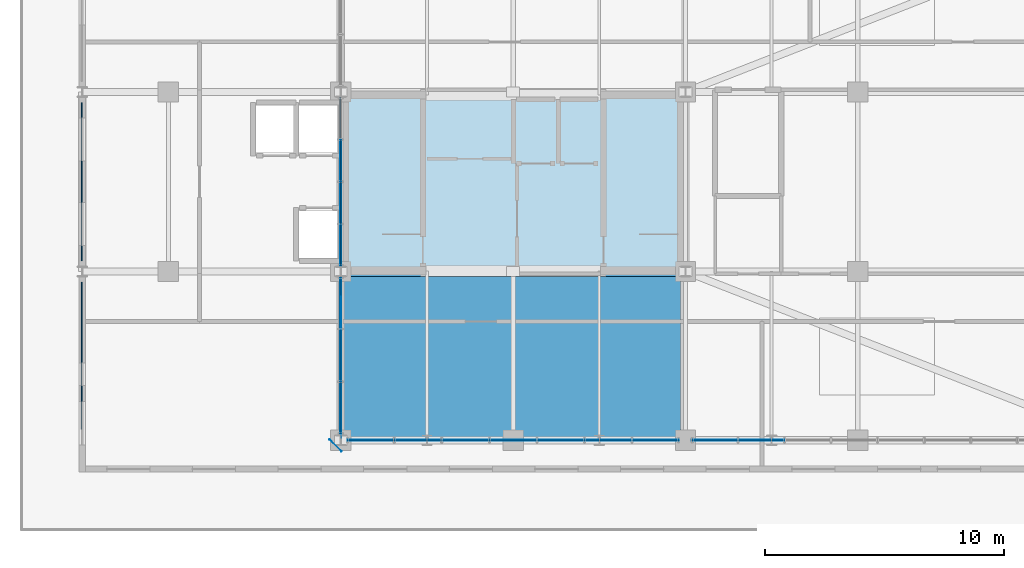
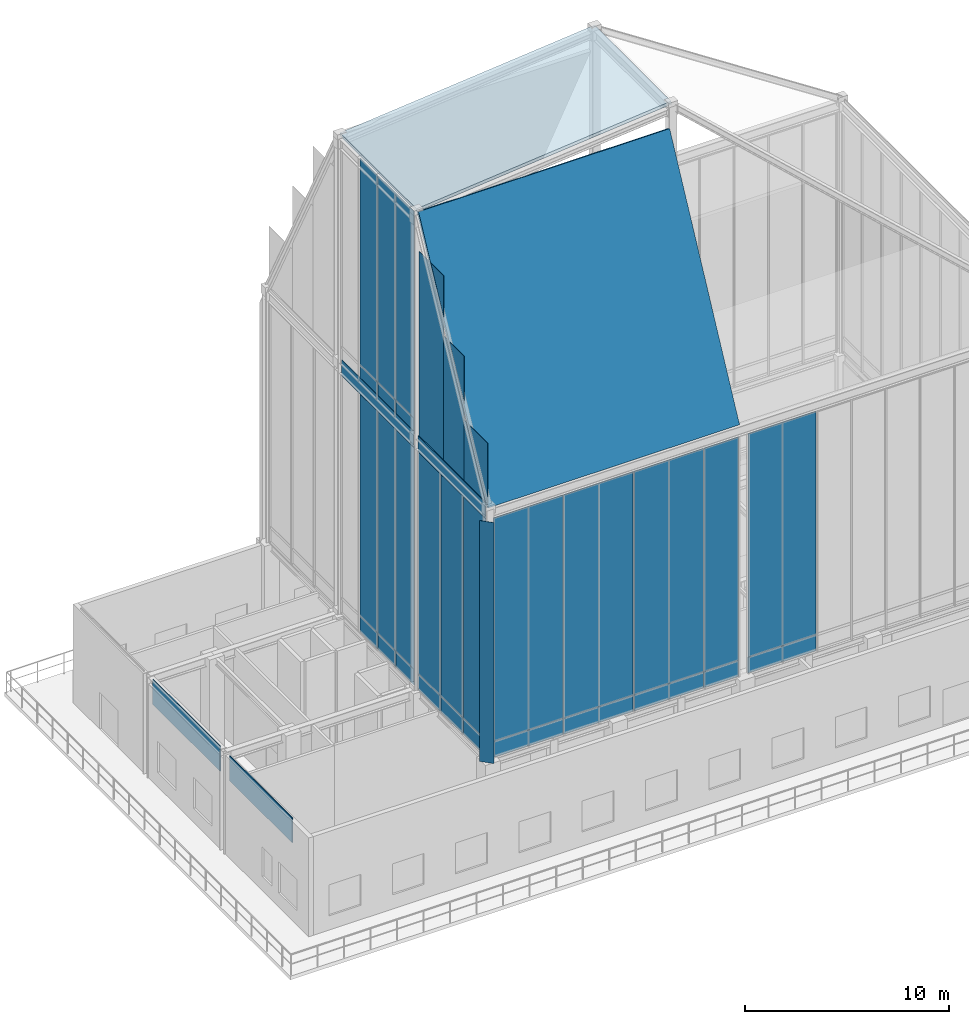
# One storey, part 41 of 49: 36 plates, 2 slabs, 5 elements without a shape of their own.
"""IFC4 building model written with IfcOpenShell, lengths in metres."""

from ifc_helpers import new_model, si_unit, direction, frame, origin, origin_2d, place, context, subcontext, project, spatial, polyline, rectangle, outline, extrude, source, transform, mapped, material, layer, layer_set, type_object, element, aggregate, save


model = new_model("IFC4")

# Units and contexts
model_context = context("Model", 3, precision=1e-05, world=origin(), true_north=direction((0.0, 1.0)))
body_context = subcontext(model_context, "Body", "Model", "MODEL_VIEW")
ifc_project = project(units=[si_unit("LENGTHUNIT", "METRE"), si_unit("AREAUNIT", "SQUARE_METRE"), si_unit("VOLUMEUNIT", "CUBIC_METRE"), si_unit("PLANEANGLEUNIT", "RADIAN"), si_unit("MASSUNIT", "GRAM", prefix="KILO")], contexts=[model_context])

# Site, building, storey
site_placement = place(None, origin())
site = spatial("IfcSite", under=ifc_project, at=site_placement, CompositionType="ELEMENT")
building_placement = place(site_placement, origin())
building = spatial("IfcBuilding", under=site, at=building_placement, Name="Kaliganga Portal Commons", CompositionType="ELEMENT")
storey_placement = place(building_placement, frame((0.0, 0.0, 298.0)))
storey = spatial("IfcBuildingStorey", under=building, at=storey_placement, Name="L77", CompositionType="ELEMENT", Elevation=298.0)

# Slabs
ifc_material_1 = material(Name="Concrete C40/50", Category="concrete")
ifc_layer_1 = layer(ifc_material_1, 0.18994140625)
ifc_layer_set_1 = layer_set([ifc_layer_1], Name="Concrete C40/50")
slab_type = type_object("IfcSlabType", Name="SLB-CANOPY-190", PredefinedType="ROOF", material=ifc_layer_set_1)
slab_1_placement = place(storey_placement, frame((14.39990234375, 21.60009765625, 21.0), z_axis=(0.0, -0.892447112576, 0.451152026766), x_axis=(1.0, 0.0, 0.0)))
element("IfcSlab", 1, at=slab_1_placement, inside=storey, type_object=slab_type, Name="Sculpted Crown Canopy Roof Facet S", PredefinedType="ROOF", context=body_context, shape_type="SweptSolid", body=[
    extrude(outline(polyline([(0.0, 0.0), (14.2001953125, 0.0), (14.2001953125, 15.18302724854605), (0.0, 15.18302724854605), (0.0, 0.0)])), origin(), (0.0, 0.0, -1.0), 0.18994140625),
])
slab_2_placement = place(storey_placement, frame((14.39990234375, 28.64990234375, 34.60009765625), z_axis=(-0.096758312337, 0.0, 0.995307906627), x_axis=(0.995307906627, 0.0, 0.096758312337)))
element("IfcSlab", 2, at=slab_2_placement, inside=storey, type_object=slab_type, Name="Sculpted Crown Canopy Top Cap Roof Slab", PredefinedType="ROOF", context=body_context, shape_type="SweptSolid", body=[
    extrude(outline(polyline([(0.0, 0.0), (14.468031840699496, 0.0), (14.468031840699496, 7.499999999999999), (0.0, 7.499999999999999), (0.0, 0.0)])), origin(), (0.0, 0.0, -1.0), 0.18994140625),
])

# Curtain wall, plates
ifc_material_2 = material(Name="Anodized Aluminium and Laminated Low-E Glass", Category="aluminium")
ifc_layer_2 = layer(ifc_material_2, 0.25)
ifc_layer_set_2 = layer_set([ifc_layer_2], Name="Anodized Aluminium and Laminated Low-E Glass")
curtain_wall_type = type_object("IfcCurtainWallType", Name="CW-SYS-06", PredefinedType="NOTDEFINED", material=ifc_layer_set_2)
curtain_wall_1_placement = place(storey_placement, origin())
curtain_wall_1 = element("IfcCurtainWall", 3, at=curtain_wall_1_placement, inside=storey, type_object=curtain_wall_type, Name="CW 06 L77 SW", PredefinedType="NOTDEFINED")
ifc_material_3 = material(Name="Insulated Dark Spandrel Panel", Category="metal")
ifc_layer_3 = layer(ifc_material_3, 0.044921875)
ifc_layer_set_3 = layer_set([ifc_layer_3], Name="Insulated Dark Spandrel Panel")
plate_type_1 = type_object("IfcPlateType", Name="PLT-SPN-45", PredefinedType="SHEET", material=ifc_layer_set_3)
shared_shape_1 = source(origin(), body_context, "Body", "SweptSolid", [
    extrude(rectangle(XDim=3.931396484375, YDim=0.044921875, at=origin_2d()), origin(), (0.0, 0.0, 1.0), 0.929931640625),
])
plate_1_placement = place(storey_placement, frame((16.6357421875, 21.60009765625, 6.01025390625), z_axis=(0.0, 0.0, 1.0), x_axis=(1.0, 0.0, 0.0)))
plate_1 = element("IfcPlate", 4, at=plate_1_placement, type_object=plate_type_1, Name="CW:06:L77:SW Spandrel 00", PredefinedType="SHEET", context=body_context, shape_type="MappedRepresentation", body=[
    mapped(shared_shape_1, transform((0.0, 0.0, 0.0), x_axis=(1.0, 0.0, 0.0), y_axis=(0.0, 1.0, 0.0), z_axis=(0.0, 0.0, 1.0), scale=1.0)),
])
plate_2_placement = place(storey_placement, frame((20.607177734375, 21.60009765625, 6.01025390625), z_axis=(0.0, 0.0, 1.0), x_axis=(1.0, 0.0, 0.0)))
plate_2 = element("IfcPlate", 5, at=plate_2_placement, type_object=plate_type_1, Name="CW:06:L77:SW Spandrel 02", PredefinedType="SHEET", context=body_context, shape_type="MappedRepresentation", body=[
    mapped(shared_shape_1, transform((0.0, 0.0, 0.0), x_axis=(1.0, 0.0, 0.0), y_axis=(0.0, 1.0, 0.0), z_axis=(0.0, 0.0, 1.0), scale=1.0)),
])
plate_3_placement = place(storey_placement, frame((24.57861328125, 21.60009765625, 6.01025390625), z_axis=(0.0, 0.0, 1.0), x_axis=(1.0, 0.0, 0.0)))
plate_3 = element("IfcPlate", 6, at=plate_3_placement, type_object=plate_type_1, Name="CW:06:L77:SW Spandrel 04", PredefinedType="SHEET", context=body_context, shape_type="MappedRepresentation", body=[
    mapped(shared_shape_1, transform((0.0, 0.0, 0.0), x_axis=(1.0, 0.0, 0.0), y_axis=(0.0, 1.0, 0.0), z_axis=(0.0, 0.0, 1.0), scale=1.0)),
])
ifc_material_4 = material(Name="Dark Solar-Control Laminated Low-E IGU", Category="glass")
ifc_layer_4 = layer(ifc_material_4, 0.028076171875)
ifc_layer_set_4 = layer_set([ifc_layer_4], Name="Dark Solar-Control Laminated Low-E IGU")
plate_type_2 = type_object("IfcPlateType", Name="PLT-GLZ-28", PredefinedType="CURTAIN_PANEL", material=ifc_layer_set_4)
shared_shape_2 = source(origin(), body_context, "Body", "SweptSolid", [
    extrude(rectangle(XDim=3.931396484375, YDim=0.028076171875, at=origin_2d()), origin(), (0.0, 0.0, 1.0), 13.35009765625),
])
plate_4_placement = place(storey_placement, frame((16.6357421875, 21.60009765625, 6.9599609375), z_axis=(0.0, 0.0, 1.0), x_axis=(1.0, 0.0, 0.0)))
plate_4 = element("IfcPlate", 7, at=plate_4_placement, type_object=plate_type_2, Name="CW:06:L77:SW Vision IGU 00", PredefinedType="CURTAIN_PANEL", context=body_context, shape_type="MappedRepresentation", body=[
    mapped(shared_shape_2, transform((0.0, 0.0, 0.0), x_axis=(1.0, 0.0, 0.0), y_axis=(0.0, 1.0, 0.0), z_axis=(0.0, 0.0, 1.0), scale=1.0)),
])
plate_5_placement = place(storey_placement, frame((20.607177734375, 21.60009765625, 6.9599609375), z_axis=(0.0, 0.0, 1.0), x_axis=(1.0, 0.0, 0.0)))
plate_5 = element("IfcPlate", 8, at=plate_5_placement, type_object=plate_type_2, Name="CW:06:L77:SW Vision IGU 02", PredefinedType="CURTAIN_PANEL", context=body_context, shape_type="MappedRepresentation", body=[
    mapped(shared_shape_2, transform((0.0, 0.0, 0.0), x_axis=(1.0, 0.0, 0.0), y_axis=(0.0, 1.0, 0.0), z_axis=(0.0, 0.0, 1.0), scale=1.0)),
])
plate_6_placement = place(storey_placement, frame((24.57861328125, 21.60009765625, 6.9599609375), z_axis=(0.0, 0.0, 1.0), x_axis=(1.0, 0.0, 0.0)))
plate_6 = element("IfcPlate", 9, at=plate_6_placement, type_object=plate_type_2, Name="CW:06:L77:SW Vision IGU 04", PredefinedType="CURTAIN_PANEL", context=body_context, shape_type="MappedRepresentation", body=[
    mapped(shared_shape_2, transform((0.0, 0.0, 0.0), x_axis=(1.0, 0.0, 0.0), y_axis=(0.0, 1.0, 0.0), z_axis=(0.0, 0.0, 1.0), scale=1.0)),
])
shared_shape_3 = source(origin(), body_context, "Body", "SweptSolid", [
    extrude(rectangle(XDim=1.94580078125, YDim=0.044921875, at=origin_2d()), origin(), (0.0, 0.0, 1.0), 0.929931640625),
])
plate_7_placement = place(storey_placement, frame((27.55712890625, 21.60009765625, 6.01025390625), z_axis=(0.0, 0.0, 1.0), x_axis=(1.0, 0.0, 0.0)))
plate_7 = element("IfcPlate", 10, at=plate_7_placement, type_object=plate_type_1, Name="CW:06:L77:SW Spandrel 06", PredefinedType="SHEET", context=body_context, shape_type="MappedRepresentation", body=[
    mapped(shared_shape_3, transform((0.0, 0.0, 0.0), x_axis=(1.0, 0.0, 0.0), y_axis=(0.0, 1.0, 0.0), z_axis=(0.0, 0.0, 1.0), scale=1.0)),
])
shared_shape_4 = source(origin(), body_context, "Body", "SweptSolid", [
    extrude(rectangle(XDim=1.94580078125, YDim=0.028076171875, at=origin_2d()), origin(), (0.0, 0.0, 1.0), 13.35009765625),
])
plate_8_placement = place(storey_placement, frame((27.55712890625, 21.60009765625, 6.9599609375), z_axis=(0.0, 0.0, 1.0), x_axis=(1.0, 0.0, 0.0)))
plate_8 = element("IfcPlate", 11, at=plate_8_placement, type_object=plate_type_2, Name="CW:06:L77:SW Vision IGU 06", PredefinedType="CURTAIN_PANEL", context=body_context, shape_type="MappedRepresentation", body=[
    mapped(shared_shape_4, transform((0.0, 0.0, 0.0), x_axis=(1.0, 0.0, 0.0), y_axis=(0.0, 1.0, 0.0), z_axis=(0.0, 0.0, 1.0), scale=1.0)),
])
aggregate(curtain_wall_1, [plate_1, plate_4, plate_2, plate_5, plate_3, plate_6, plate_7, plate_8])

curtain_wall_2_placement = place(storey_placement, origin())
curtain_wall_2 = element("IfcCurtainWall", 12, at=curtain_wall_2_placement, inside=storey, type_object=curtain_wall_type, Name="CW 06 L77 SE", PredefinedType="NOTDEFINED")
shared_shape_5 = source(origin(), body_context, "Body", "SweptSolid", [
    extrude(rectangle(XDim=3.848876953125, YDim=0.044921875, at=origin_2d()), origin(), (0.0, 0.0, 1.0), 0.929931640625),
])
plate_9_placement = place(storey_placement, frame((30.994384765625, 21.60009765625, 6.01025390625), z_axis=(0.0, 0.0, 1.0), x_axis=(1.0, 0.0, 0.0)))
plate_9 = element("IfcPlate", 13, at=plate_9_placement, type_object=plate_type_1, Name="CW:06:L77:SE Spandrel 00", PredefinedType="SHEET", context=body_context, shape_type="MappedRepresentation", body=[
    mapped(shared_shape_5, transform((0.0, 0.0, 0.0), x_axis=(1.0, 0.0, 0.0), y_axis=(0.0, 1.0, 0.0), z_axis=(0.0, 0.0, 1.0), scale=1.0)),
])
shared_shape_6 = source(origin(), body_context, "Body", "SweptSolid", [
    extrude(rectangle(XDim=3.848876953125, YDim=0.028076171875, at=origin_2d()), origin(), (0.0, 0.0, 1.0), 13.35009765625),
])
plate_10_placement = place(storey_placement, frame((30.994384765625, 21.60009765625, 6.9599609375), z_axis=(0.0, 0.0, 1.0), x_axis=(1.0, 0.0, 0.0)))
plate_10 = element("IfcPlate", 14, at=plate_10_placement, type_object=plate_type_2, Name="CW:06:L77:SE Vision IGU 00", PredefinedType="CURTAIN_PANEL", context=body_context, shape_type="MappedRepresentation", body=[
    mapped(shared_shape_6, transform((0.0, 0.0, 0.0), x_axis=(1.0, 0.0, 0.0), y_axis=(0.0, 1.0, 0.0), z_axis=(0.0, 0.0, 1.0), scale=1.0)),
])
aggregate(curtain_wall_2, [plate_9, plate_10])

curtain_wall_3_placement = place(storey_placement, origin())
curtain_wall_3 = element("IfcCurtainWall", 15, at=curtain_wall_3_placement, inside=storey, type_object=curtain_wall_type, Name="CW 06 L77 WS", PredefinedType="NOTDEFINED")
shared_shape_7 = source(origin(), body_context, "Body", "SweptSolid", [
    extrude(rectangle(XDim=2.15673828125, YDim=0.044921875, at=origin_2d()), origin(), (0.0, 0.0, 1.0), 0.929931640625),
])
plate_11_placement = place(storey_placement, frame((14.39990234375, 22.9482421875, 6.01025390625), z_axis=(0.0, 0.0, 1.0), x_axis=(0.0, 1.0, 0.0)))
plate_11 = element("IfcPlate", 16, at=plate_11_placement, type_object=plate_type_1, Name="CW:06:L77:WS Spandrel 00", PredefinedType="SHEET", context=body_context, shape_type="MappedRepresentation", body=[
    mapped(shared_shape_7, transform((0.0, 0.0, 0.0), x_axis=(1.0, 0.0, 0.0), y_axis=(0.0, 1.0, 0.0), z_axis=(0.0, 0.0, 1.0), scale=1.0)),
])
plate_12_placement = place(storey_placement, frame((14.39990234375, 25.14501953125, 6.01025390625), z_axis=(0.0, 0.0, 1.0), x_axis=(0.0, 1.0, 0.0)))
plate_12 = element("IfcPlate", 17, at=plate_12_placement, type_object=plate_type_1, Name="CW:06:L77:WS Spandrel 01", PredefinedType="SHEET", context=body_context, shape_type="MappedRepresentation", body=[
    mapped(shared_shape_7, transform((0.0, 0.0, 0.0), x_axis=(1.0, 0.0, 0.0), y_axis=(0.0, 1.0, 0.0), z_axis=(0.0, 0.0, 1.0), scale=1.0)),
])
plate_13_placement = place(storey_placement, frame((14.39990234375, 27.341796875, 6.01025390625), z_axis=(0.0, 0.0, 1.0), x_axis=(0.0, 1.0, 0.0)))
plate_13 = element("IfcPlate", 18, at=plate_13_placement, type_object=plate_type_1, Name="CW:06:L77:WS Spandrel 02", PredefinedType="SHEET", context=body_context, shape_type="MappedRepresentation", body=[
    mapped(shared_shape_7, transform((0.0, 0.0, 0.0), x_axis=(1.0, 0.0, 0.0), y_axis=(0.0, 1.0, 0.0), z_axis=(0.0, 0.0, 1.0), scale=1.0)),
])
shared_shape_8 = source(origin(), body_context, "Body", "SweptSolid", [
    extrude(rectangle(XDim=2.15673828125, YDim=0.028076171875, at=origin_2d()), origin(), (0.0, 0.0, 1.0), 13.35009765625),
])
plate_14_placement = place(storey_placement, frame((14.39990234375, 22.9482421875, 6.9599609375), z_axis=(0.0, 0.0, 1.0), x_axis=(0.0, 1.0, 0.0)))
plate_14 = element("IfcPlate", 19, at=plate_14_placement, type_object=plate_type_2, Name="CW:06:L77:WS Vision IGU 00", PredefinedType="CURTAIN_PANEL", context=body_context, shape_type="MappedRepresentation", body=[
    mapped(shared_shape_8, transform((0.0, 0.0, 0.0), x_axis=(1.0, 0.0, 0.0), y_axis=(0.0, 1.0, 0.0), z_axis=(0.0, 0.0, 1.0), scale=1.0)),
])
plate_15_placement = place(storey_placement, frame((14.39990234375, 25.14501953125, 6.9599609375), z_axis=(0.0, 0.0, 1.0), x_axis=(0.0, 1.0, 0.0)))
plate_15 = element("IfcPlate", 20, at=plate_15_placement, type_object=plate_type_2, Name="CW:06:L77:WS Vision IGU 01", PredefinedType="CURTAIN_PANEL", context=body_context, shape_type="MappedRepresentation", body=[
    mapped(shared_shape_8, transform((0.0, 0.0, 0.0), x_axis=(1.0, 0.0, 0.0), y_axis=(0.0, 1.0, 0.0), z_axis=(0.0, 0.0, 1.0), scale=1.0)),
])
plate_16_placement = place(storey_placement, frame((14.39990234375, 27.341796875, 6.9599609375), z_axis=(0.0, 0.0, 1.0), x_axis=(0.0, 1.0, 0.0)))
plate_16 = element("IfcPlate", 21, at=plate_16_placement, type_object=plate_type_2, Name="CW:06:L77:WS Vision IGU 02", PredefinedType="CURTAIN_PANEL", context=body_context, shape_type="MappedRepresentation", body=[
    mapped(shared_shape_8, transform((0.0, 0.0, 0.0), x_axis=(1.0, 0.0, 0.0), y_axis=(0.0, 1.0, 0.0), z_axis=(0.0, 0.0, 1.0), scale=1.0)),
])
aggregate(curtain_wall_3, [plate_11, plate_14, plate_12, plate_15, plate_13, plate_16])

curtain_wall_4_placement = place(storey_placement, origin())
curtain_wall_4 = element("IfcCurtainWall", 22, at=curtain_wall_4_placement, inside=storey, type_object=curtain_wall_type, Name="CW 06 L77 W", PredefinedType="NOTDEFINED")
shared_shape_9 = source(origin(), body_context, "Body", "SweptSolid", [
    extrude(rectangle(XDim=1.72998046875, YDim=0.044921875, at=origin_2d()), origin(), (0.0, 0.0, 1.0), 0.929931640625),
])
plate_17_placement = place(storey_placement, frame((14.39990234375, 29.7451171875, 6.01025390625), z_axis=(0.0, 0.0, 1.0), x_axis=(0.0, 1.0, 0.0)))
plate_17 = element("IfcPlate", 23, at=plate_17_placement, type_object=plate_type_1, Name="CW:06:L77:W Spandrel 00", PredefinedType="SHEET", context=body_context, shape_type="MappedRepresentation", body=[
    mapped(shared_shape_9, transform((0.0, 0.0, 0.0), x_axis=(1.0, 0.0, 0.0), y_axis=(0.0, 1.0, 0.0), z_axis=(0.0, 0.0, 1.0), scale=1.0)),
])
plate_18_placement = place(storey_placement, frame((14.39990234375, 31.514892578125, 6.01025390625), z_axis=(0.0, 0.0, 1.0), x_axis=(0.0, 1.0, 0.0)))
plate_18 = element("IfcPlate", 24, at=plate_18_placement, type_object=plate_type_1, Name="CW:06:L77:W Spandrel 01", PredefinedType="SHEET", context=body_context, shape_type="MappedRepresentation", body=[
    mapped(shared_shape_9, transform((0.0, 0.0, 0.0), x_axis=(1.0, 0.0, 0.0), y_axis=(0.0, 1.0, 0.0), z_axis=(0.0, 0.0, 1.0), scale=1.0)),
])
plate_19_placement = place(storey_placement, frame((14.39990234375, 33.284912109375, 6.01025390625), z_axis=(0.0, 0.0, 1.0), x_axis=(0.0, 1.0, 0.0)))
plate_19 = element("IfcPlate", 25, at=plate_19_placement, type_object=plate_type_1, Name="CW:06:L77:W Spandrel 02", PredefinedType="SHEET", context=body_context, shape_type="MappedRepresentation", body=[
    mapped(shared_shape_9, transform((0.0, 0.0, 0.0), x_axis=(1.0, 0.0, 0.0), y_axis=(0.0, 1.0, 0.0), z_axis=(0.0, 0.0, 1.0), scale=1.0)),
])

curtain_wall_5_placement = place(storey_placement, origin())
curtain_wall_5 = element("IfcCurtainWall", 26, at=curtain_wall_5_placement, inside=storey, type_object=curtain_wall_type, Name="CW 06 L77 WU", PredefinedType="NOTDEFINED")
plate_20_placement = place(storey_placement, frame((14.39990234375, 29.7451171875, 21.01025390625), z_axis=(0.0, 0.0, 1.0), x_axis=(0.0, 1.0, 0.0)))
plate_20 = element("IfcPlate", 27, at=plate_20_placement, type_object=plate_type_1, Name="CW:06:L77:WU Spandrel 00", PredefinedType="SHEET", context=body_context, shape_type="MappedRepresentation", body=[
    mapped(shared_shape_9, transform((0.0, 0.0, 0.0), x_axis=(1.0, 0.0, 0.0), y_axis=(0.0, 1.0, 0.0), z_axis=(0.0, 0.0, 1.0), scale=1.0)),
])
plate_21_placement = place(storey_placement, frame((14.39990234375, 31.514892578125, 21.01025390625), z_axis=(0.0, 0.0, 1.0), x_axis=(0.0, 1.0, 0.0)))
plate_21 = element("IfcPlate", 28, at=plate_21_placement, type_object=plate_type_1, Name="CW:06:L77:WU Spandrel 01", PredefinedType="SHEET", context=body_context, shape_type="MappedRepresentation", body=[
    mapped(shared_shape_9, transform((0.0, 0.0, 0.0), x_axis=(1.0, 0.0, 0.0), y_axis=(0.0, 1.0, 0.0), z_axis=(0.0, 0.0, 1.0), scale=1.0)),
])
plate_22_placement = place(storey_placement, frame((14.39990234375, 33.284912109375, 21.01025390625), z_axis=(0.0, 0.0, 1.0), x_axis=(0.0, 1.0, 0.0)))
plate_22 = element("IfcPlate", 29, at=plate_22_placement, type_object=plate_type_1, Name="CW:06:L77:WU Spandrel 02", PredefinedType="SHEET", context=body_context, shape_type="MappedRepresentation", body=[
    mapped(shared_shape_9, transform((0.0, 0.0, 0.0), x_axis=(1.0, 0.0, 0.0), y_axis=(0.0, 1.0, 0.0), z_axis=(0.0, 0.0, 1.0), scale=1.0)),
])

# Plate
shared_shape_10 = source(origin(), body_context, "Body", "SweptSolid", [
    extrude(rectangle(XDim=1.72998046875, YDim=0.028076171875, at=origin_2d()), origin(), (0.0, 0.0, 1.0), 13.35009765625),
])
plate_23_placement = place(storey_placement, frame((14.39990234375, 29.7451171875, 6.9599609375), z_axis=(0.0, 0.0, 1.0), x_axis=(0.0, 1.0, 0.0)))
plate_23 = element("IfcPlate", 30, at=plate_23_placement, type_object=plate_type_2, Name="CW:06:L77:W Vision IGU 00", PredefinedType="CURTAIN_PANEL", context=body_context, shape_type="MappedRepresentation", body=[
    mapped(shared_shape_10, transform((0.0, 0.0, 0.0), x_axis=(1.0, 0.0, 0.0), y_axis=(0.0, 1.0, 0.0), z_axis=(0.0, 0.0, 1.0), scale=1.0)),
])

plate_24_placement = place(storey_placement, frame((14.39990234375, 31.514892578125, 6.9599609375), z_axis=(0.0, 0.0, 1.0), x_axis=(0.0, 1.0, 0.0)))
plate_24 = element("IfcPlate", 31, at=plate_24_placement, type_object=plate_type_2, Name="CW:06:L77:W Vision IGU 01", PredefinedType="CURTAIN_PANEL", context=body_context, shape_type="MappedRepresentation", body=[
    mapped(shared_shape_10, transform((0.0, 0.0, 0.0), x_axis=(1.0, 0.0, 0.0), y_axis=(0.0, 1.0, 0.0), z_axis=(0.0, 0.0, 1.0), scale=1.0)),
])

plate_25_placement = place(storey_placement, frame((14.39990234375, 33.284912109375, 6.9599609375), z_axis=(0.0, 0.0, 1.0), x_axis=(0.0, 1.0, 0.0)))
plate_25 = element("IfcPlate", 32, at=plate_25_placement, type_object=plate_type_2, Name="CW:06:L77:W Vision IGU 02", PredefinedType="CURTAIN_PANEL", context=body_context, shape_type="MappedRepresentation", body=[
    mapped(shared_shape_10, transform((0.0, 0.0, 0.0), x_axis=(1.0, 0.0, 0.0), y_axis=(0.0, 1.0, 0.0), z_axis=(0.0, 0.0, 1.0), scale=1.0)),
])

aggregate(curtain_wall_4, [plate_17, plate_23, plate_18, plate_24, plate_19, plate_25])

shared_shape_11 = source(origin(), body_context, "Body", "SweptSolid", [
    extrude(rectangle(XDim=1.72998046875, YDim=0.028076171875, at=origin_2d()), origin(), (0.0, 0.0, 1.0), 12.360107421875),
])
plate_26_placement = place(storey_placement, frame((14.39990234375, 29.7451171875, 21.9599609375), z_axis=(0.0, 0.0, 1.0), x_axis=(0.0, 1.0, 0.0)))
plate_26 = element("IfcPlate", 33, at=plate_26_placement, type_object=plate_type_2, Name="CW:06:L77:WU Vision IGU 00", PredefinedType="CURTAIN_PANEL", context=body_context, shape_type="MappedRepresentation", body=[
    mapped(shared_shape_11, transform((0.0, 0.0, 0.0), x_axis=(1.0, 0.0, 0.0), y_axis=(0.0, 1.0, 0.0), z_axis=(0.0, 0.0, 1.0), scale=1.0)),
])

plate_27_placement = place(storey_placement, frame((14.39990234375, 31.514892578125, 21.9599609375), z_axis=(0.0, 0.0, 1.0), x_axis=(0.0, 1.0, 0.0)))
plate_27 = element("IfcPlate", 34, at=plate_27_placement, type_object=plate_type_2, Name="CW:06:L77:WU Vision IGU 01", PredefinedType="CURTAIN_PANEL", context=body_context, shape_type="MappedRepresentation", body=[
    mapped(shared_shape_11, transform((0.0, 0.0, 0.0), x_axis=(1.0, 0.0, 0.0), y_axis=(0.0, 1.0, 0.0), z_axis=(0.0, 0.0, 1.0), scale=1.0)),
])

plate_28_placement = place(storey_placement, frame((14.39990234375, 33.284912109375, 21.9599609375), z_axis=(0.0, 0.0, 1.0), x_axis=(0.0, 1.0, 0.0)))
plate_28 = element("IfcPlate", 35, at=plate_28_placement, type_object=plate_type_2, Name="CW:06:L77:WU Vision IGU 02", PredefinedType="CURTAIN_PANEL", context=body_context, shape_type="MappedRepresentation", body=[
    mapped(shared_shape_11, transform((0.0, 0.0, 0.0), x_axis=(1.0, 0.0, 0.0), y_axis=(0.0, 1.0, 0.0), z_axis=(0.0, 0.0, 1.0), scale=1.0)),
])

aggregate(curtain_wall_5, [plate_20, plate_26, plate_21, plate_27, plate_22, plate_28])

# Plates
shared_shape_12 = source(origin(), body_context, "Body", "SweptSolid", [
    extrude(rectangle(XDim=6.570068359375, YDim=0.044921875, at=origin_2d()), origin(), (0.0, 0.0, 1.0), 0.9599609375),
])
plate_29_placement = place(storey_placement, frame((14.3798828125, 25.135009765625, 20.239990234375), z_axis=(0.0, 0.0, 1.0), x_axis=(0.0, 1.0, 0.0)))
element("IfcPlate", 36, at=plate_29_placement, inside=storey, type_object=plate_type_1, Name="Crown Mid-Ring Spandrel Fascia West 1", PredefinedType="SHEET", context=body_context, shape_type="MappedRepresentation", body=[
    mapped(shared_shape_12, transform((0.0, 0.0, 0.0), x_axis=(1.0, 0.0, 0.0), y_axis=(0.0, 1.0, 0.0), z_axis=(0.0, 0.0, 1.0), scale=1.0)),
])
shared_shape_13 = source(origin(), body_context, "Body", "SweptSolid", [
    extrude(rectangle(XDim=7.0400390625, YDim=0.044921875, at=origin_2d()), origin(), (0.0, 0.0, 1.0), 0.9599609375),
])
plate_30_placement = place(storey_placement, frame((14.3798828125, 32.39990234375, 20.239990234375), z_axis=(0.0, 0.0, 1.0), x_axis=(0.0, 1.0, 0.0)))
element("IfcPlate", 37, at=plate_30_placement, inside=storey, type_object=plate_type_1, Name="Crown Mid-Ring Spandrel Fascia West 2", PredefinedType="SHEET", context=body_context, shape_type="MappedRepresentation", body=[
    mapped(shared_shape_13, transform((0.0, 0.0, 0.0), x_axis=(1.0, 0.0, 0.0), y_axis=(0.0, 1.0, 0.0), z_axis=(0.0, 0.0, 1.0), scale=1.0)),
])
shared_shape_14 = source(origin(), body_context, "Body", "SweptSolid", [
    extrude(rectangle(XDim=6.14990234375, YDim=0.044921875, at=origin_2d()), origin(), (0.0, 0.0, 1.0), 1.5),
])
plate_31_placement = place(storey_placement, frame((3.580078125, 25.125, 4.5), z_axis=(0.0, 0.0, 1.0), x_axis=(0.0, 1.0, 0.0)))
element("IfcPlate", 38, at=plate_31_placement, inside=storey, type_object=plate_type_1, Name="Crown Eave Spandrel Fascia West 1", PredefinedType="SHEET", context=body_context, shape_type="MappedRepresentation", body=[
    mapped(shared_shape_14, transform((0.0, 0.0, 0.0), x_axis=(1.0, 0.0, 0.0), y_axis=(0.0, 1.0, 0.0), z_axis=(0.0, 0.0, 1.0), scale=1.0)),
])
shared_shape_15 = source(origin(), body_context, "Body", "SweptSolid", [
    extrude(rectangle(XDim=6.60009765625, YDim=0.044921875, at=origin_2d()), origin(), (0.0, 0.0, 1.0), 1.5),
])
plate_32_placement = place(storey_placement, frame((3.580078125, 32.39990234375, 4.5), z_axis=(0.0, 0.0, 1.0), x_axis=(0.0, 1.0, 0.0)))
element("IfcPlate", 39, at=plate_32_placement, inside=storey, type_object=plate_type_1, Name="Crown Eave Spandrel Fascia West 2", PredefinedType="SHEET", context=body_context, shape_type="MappedRepresentation", body=[
    mapped(shared_shape_15, transform((0.0, 0.0, 0.0), x_axis=(1.0, 0.0, 0.0), y_axis=(0.0, 1.0, 0.0), z_axis=(0.0, 0.0, 1.0), scale=1.0)),
])
ifc_material_5 = material(Name="Perforated Bronze-Anodized Aluminium Solar Screen", Category="aluminium")
ifc_layer_5 = layer(ifc_material_5, 0.01806640625)
ifc_layer_set_5 = layer_set([ifc_layer_5], Name="Perforated Bronze-Anodized Aluminium Solar Screen")
plate_type_3 = type_object("IfcPlateType", Name="PLT-SCR-18", PredefinedType="USERDEFINED", material=ifc_layer_set_5)
shared_shape_16 = source(origin(), body_context, "Body", "SweptSolid", [
    extrude(rectangle(XDim=4.199951171875, YDim=0.01806640625, at=origin_2d()), origin(), (0.0, 0.0, 1.0), 3.800048828125),
])
plate_33_placement = place(storey_placement, frame((14.419921875, 23.800048828125, 21.0), z_axis=(0.0, 0.0, 1.0), x_axis=(0.0, 1.0, 0.0)))
element("IfcPlate", 40, at=plate_33_placement, inside=storey, type_object=plate_type_3, Name="Crown West Gable Solar Screen WS-1", ObjectType="SOLAR SCREEN", PredefinedType="USERDEFINED", context=body_context, shape_type="MappedRepresentation", body=[
    mapped(shared_shape_16, transform((0.0, 0.0, 0.0), x_axis=(1.0, 0.0, 0.0), y_axis=(0.0, 1.0, 0.0), z_axis=(0.0, 0.0, 1.0), scale=1.0)),
])
shared_shape_17 = source(origin(), body_context, "Body", "SweptSolid", [
    extrude(rectangle(XDim=3.60009765625, YDim=0.01806640625, at=origin_2d()), origin(), (0.0, 0.0, 1.0), 7.60009765625),
])
plate_34_placement = place(storey_placement, frame((14.419921875, 25.800048828125, 21.0), z_axis=(0.0, 0.0, 1.0), x_axis=(0.0, 1.0, 0.0)))
element("IfcPlate", 41, at=plate_34_placement, inside=storey, type_object=plate_type_3, Name="Crown West Gable Solar Screen WS-2", ObjectType="SOLAR SCREEN", PredefinedType="USERDEFINED", context=body_context, shape_type="MappedRepresentation", body=[
    mapped(shared_shape_17, transform((0.0, 0.0, 0.0), x_axis=(1.0, 0.0, 0.0), y_axis=(0.0, 1.0, 0.0), z_axis=(0.0, 0.0, 1.0), scale=1.0)),
])
shared_shape_18 = source(origin(), body_context, "Body", "SweptSolid", [
    extrude(rectangle(XDim=2.39990234375, YDim=0.01806640625, at=origin_2d()), origin(), (0.0, 0.0, 1.0), 11.199951171875),
])
plate_35_placement = place(storey_placement, frame((14.419921875, 27.199951171875, 21.0), z_axis=(0.0, 0.0, 1.0), x_axis=(0.0, 1.0, 0.0)))
element("IfcPlate", 42, at=plate_35_placement, inside=storey, type_object=plate_type_3, Name="Crown West Gable Solar Screen WS-3", ObjectType="SOLAR SCREEN", PredefinedType="USERDEFINED", context=body_context, shape_type="MappedRepresentation", body=[
    mapped(shared_shape_18, transform((0.0, 0.0, 0.0), x_axis=(1.0, 0.0, 0.0), y_axis=(0.0, 1.0, 0.0), z_axis=(0.0, 0.0, 1.0), scale=1.0)),
])
shared_shape_19 = source(origin(), body_context, "Body", "SweptSolid", [
    extrude(rectangle(XDim=0.719970703125, YDim=0.01806640625, at=origin_2d()), origin(), (0.0, 0.0, 1.0), 14.39990234375),
])
plate_36_placement = place(storey_placement, frame((14.179931640625, 21.3798828125, 6.0), z_axis=(0.0, 0.0, 1.0), x_axis=(0.707106781187, -0.707106781187, 0.0)))
element("IfcPlate", 43, at=plate_36_placement, inside=storey, type_object=plate_type_3, Name="Crown Corner Solar Screen Closure SW", ObjectType="SOLAR SCREEN", PredefinedType="USERDEFINED", context=body_context, shape_type="MappedRepresentation", body=[
    mapped(shared_shape_19, transform((0.0, 0.0, 0.0), x_axis=(1.0, 0.0, 0.0), y_axis=(0.0, 1.0, 0.0), z_axis=(0.0, 0.0, 1.0), scale=1.0)),
])

save(model, "model.ifc")
